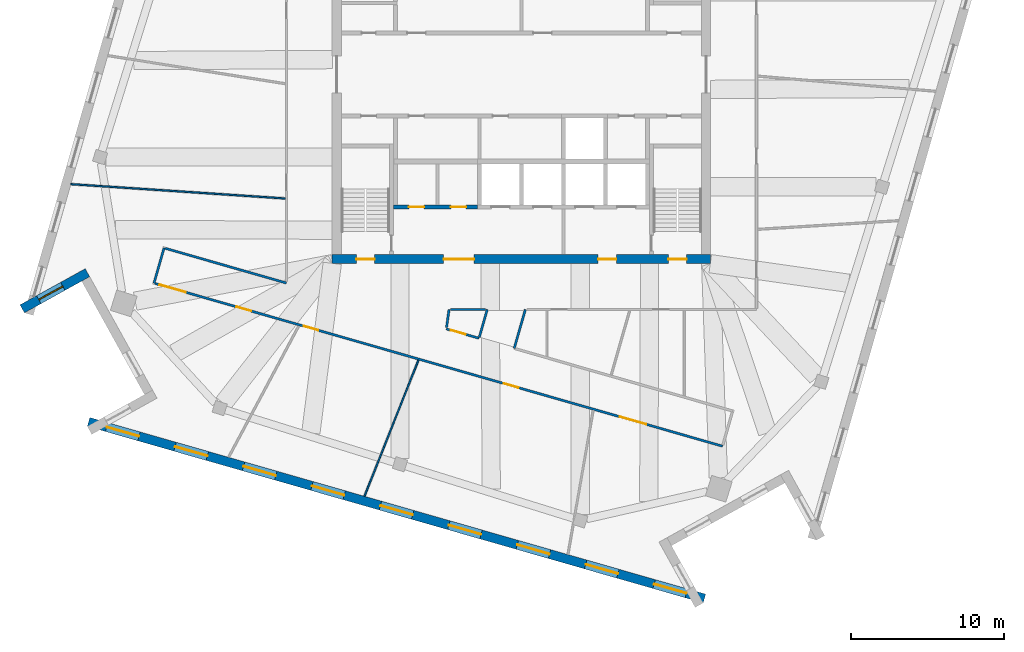
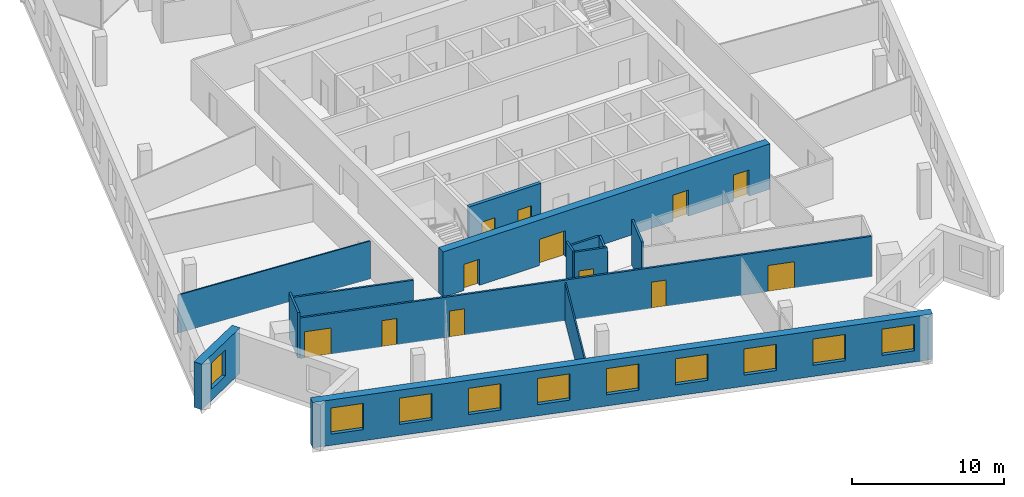
# One storey, part 7 of 15: 14 walls, 12 doors, 10 windows, 22 openings.
"""IFC4 building model written with IfcOpenShell, lengths in metres."""

import ifcopenshell
import ifcopenshell.guid

model = None  # the IFC model being written
_history = None  # IfcOwnerHistory: only IFC2X3 demands one
_inside = {}  # id of a spatial element -> (the spatial element, [elements in it])
_under = {}  # id of a project, library or spatial element -> (it, [spatial elements below it])
_declared = {}  # id of a project -> (the project, [libraries it declares])
_typed = {}  # id of a type object -> (the type object, [elements of that type])
_made_of = {}  # id of a material, layer set ... -> (it, [elements and type objects made of it])


def new_model(schema):
    """Start an empty IFC model of exactly this schema.

    Asked for "IFC4X3", IfcOpenShell would pick the latest addendum, in which some entities
    have other attributes; the version numbers below select the first issue.
    IFC2X3 requires an IfcOwnerHistory on every rooted entity: one is made here for all.
    """
    global model, _history
    if schema == "IFC4X3":
        model = ifcopenshell.file(schema_version=(4, 3, 0, 0))
    else:
        model = ifcopenshell.file(schema=schema)
    _inside.clear()
    _under.clear()
    _declared.clear()
    _typed.clear()
    _made_of.clear()
    _history = None
    if model.schema == "IFC2X3":
        org = make("IfcOrganization", Name="unknown")
        user = make(
            "IfcPersonAndOrganization",
            ThePerson=make("IfcPerson", FamilyName="unknown"),
            TheOrganization=org,
        )
        app = make(
            "IfcApplication",
            ApplicationDeveloper=org,
            Version="unknown",
            ApplicationFullName="unknown",
            ApplicationIdentifier="unknown",
        )
        _history = make(
            "IfcOwnerHistory",
            OwningUser=user,
            OwningApplication=app,
            ChangeAction="ADDED",
            CreationDate=0,
        )
    return model


def make(cls, **values):
    """One entity of the class cls with the attributes given. An attribute that is None is left unset."""
    return model.create_entity(
        cls, **{name: value for name, value in values.items() if value is not None}
    )


def rooted(cls, **values):
    """An entity with a GlobalId (a new one), such as an element, a storey or a relation."""
    return make(cls, GlobalId=ifcopenshell.guid.new(), OwnerHistory=_history, **values)


def si_unit(unit_type, name, prefix=None):
    """IfcSIUnit, for example si_unit("LENGTHUNIT", "METRE", prefix="MILLI")."""
    return make("IfcSIUnit", UnitType=unit_type, Prefix=prefix, Name=name)


def assignment(units):
    """IfcUnitAssignment: the units of a project."""
    return None if units is None else make("IfcUnitAssignment", Units=units)


def point(xyz):
    """IfcCartesianPoint."""
    return None if xyz is None else make("IfcCartesianPoint", Coordinates=xyz)


def direction(xyz):
    """IfcDirection."""
    return None if xyz is None else make("IfcDirection", DirectionRatios=xyz)


def frame(location, z_axis=None, x_axis=None):
    """IfcAxis2Placement3D, a coordinate frame: its origin and axes. An axis left out is left unset."""
    return make(
        "IfcAxis2Placement3D",
        Location=point(location),
        Axis=direction(z_axis),
        RefDirection=direction(x_axis),
    )


def frame_2d(location, x_axis=None):
    """IfcAxis2Placement2D, a coordinate frame in the plane: its origin and x axis."""
    return make(
        "IfcAxis2Placement2D", Location=point(location), RefDirection=direction(x_axis)
    )


def origin():
    """The frame at (0, 0, 0) with its axes left unset."""
    return frame((0.0, 0.0, 0.0))


def place(relative_to, where):
    """IfcLocalPlacement: puts the frame where relative to a parent placement (None: the world)."""
    return make(
        "IfcLocalPlacement", PlacementRelTo=relative_to, RelativePlacement=where
    )


def context(
    kind, dimensions, precision=None, world=None, true_north=None, identifier=None
):
    """IfcGeometricRepresentationContext, for example the 3D "Model" context."""
    return make(
        "IfcGeometricRepresentationContext",
        ContextIdentifier=identifier,
        ContextType=kind,
        CoordinateSpaceDimension=dimensions,
        Precision=precision,
        WorldCoordinateSystem=world,
        TrueNorth=true_north,
    )


def subcontext(parent, identifier, kind, view, scale=None):
    """IfcGeometricRepresentationSubContext, for example "Body" below "Model"."""
    return make(
        "IfcGeometricRepresentationSubContext",
        ContextIdentifier=identifier,
        ContextType=kind,
        ParentContext=parent,
        TargetScale=scale,
        TargetView=view,
    )


def project(units=None, contexts=None):
    """IfcProject with its units and contexts."""
    return rooted(
        "IfcProject",
        Name="project",
        RepresentationContexts=contexts,
        UnitsInContext=assignment(units),
    )


def spatial(cls, under=None, at=None, **own):
    """A site, building, storey or space (cls), placed at a placement, below another one or the project."""
    s = rooted(cls, ObjectPlacement=at, **own)
    if under is not None:
        _under.setdefault(under.id(), (under, []))[1].append(s)
    return s


def profile(cls, at=None, kind="AREA", **sizes):
    """A parametric profile (cls). Its sizes go by their IFC names, for example OverallWidth=200.0."""
    return make(cls, ProfileType=kind, Position=at, **sizes)


def rectangle(**sizes):
    """IfcRectangleProfileDef."""
    return profile("IfcRectangleProfileDef", **sizes)


def extrude(swept, where, along, depth):
    """IfcExtrudedAreaSolid: the profile swept, set in the frame where, extruded along a direction by depth."""
    return make(
        "IfcExtrudedAreaSolid",
        SweptArea=swept,
        Position=where,
        ExtrudedDirection=direction(along),
        Depth=depth,
    )


def shape(context_of_items, identifier, shape_type, items):
    """IfcShapeRepresentation: the items that make up one representation, for example the "Body"."""
    return make(
        "IfcShapeRepresentation",
        ContextOfItems=context_of_items,
        RepresentationIdentifier=identifier,
        RepresentationType=shape_type,
        Items=items,
    )


def material(Name=None, Category=None):
    """IfcMaterial."""
    return make("IfcMaterial", Name=Name, Category=Category)


def layer(
    of_material, thickness, ventilated=None, Name=None, Category=None, Priority=None
):
    """IfcMaterialLayer: one layer of a wall or slab, of a material (None: an air gap)."""
    return make(
        "IfcMaterialLayer",
        Material=of_material,
        LayerThickness=thickness,
        IsVentilated=ventilated,
        Name=Name,
        Category=Category,
        Priority=Priority,
    )


def layer_set(layers, Name=None):
    """IfcMaterialLayerSet."""
    return make("IfcMaterialLayerSet", MaterialLayers=layers, LayerSetName=Name)


def made_of(thing, what):
    """Note that an element or type object is made of a material, layer set ...; save() writes the relation."""
    if what is not None:
        _made_of.setdefault(what.id(), (what, []))[1].append(thing)
    return thing


def type_object(cls, material=None, **own):
    """A type object (cls), such as IfcWallType, which elements share."""
    return made_of(rooted(cls, **own), material)


def element(
    cls,
    number,
    at=None,
    inside=None,
    cuts=None,
    type_object=None,
    material=None,
    context=None,
    identifier="Body",
    shape_type=None,
    held_by="IfcProductDefinitionShape",
    body=None,
    shapes=None,
    **own,
):
    """One element of the class cls, such as IfcWall. Its Tag is "e" and its number.

    at: its placement. inside: the storey or other place that contains it. cuts: it is an
    opening in that element (IfcRelVoidsElement). A single representation is given by context,
    identifier, shape_type and body (its items); several are given by shapes. held_by: the class
    of the entity that holds the representations. save() writes the other relations.
    """
    e = rooted(cls, Tag="e%d" % number, ObjectPlacement=at, **own)
    if body is not None:
        shapes = [shape(context, identifier, shape_type, body)]
    if shapes is not None:
        e.Representation = make(held_by, Representations=shapes)
    if inside is not None:
        _inside.setdefault(inside.id(), (inside, []))[1].append(e)
    if cuts is not None:
        rooted(
            "IfcRelVoidsElement", RelatingBuildingElement=cuts, RelatedOpeningElement=e
        )
    if type_object is not None:
        _typed.setdefault(type_object.id(), (type_object, []))[1].append(e)
    return made_of(e, material)


def fill(opening, filler):
    """IfcRelFillsElement: the door or window that sits in an opening."""
    return rooted(
        "IfcRelFillsElement",
        RelatingOpeningElement=opening,
        RelatedBuildingElement=filler,
    )


def aggregate(whole, parts):
    """IfcRelAggregates: a whole, such as a stair, and the parts it consists of."""
    return rooted("IfcRelAggregates", RelatingObject=whole, RelatedObjects=parts)


def save(model, path):
    """Write the relations noted so far, then the file.

    IfcRelAggregates (storeys below a building ...), IfcRelContainedInSpatialStructure (elements
    in a storey), IfcRelDefinesByType, IfcRelAssociatesMaterial and IfcRelDeclares: one each for
    every whole, place, type object, material and project.
    """
    for whole, parts in _under.values():
        aggregate(whole, parts)
    for where, things in _inside.values():
        rooted(
            "IfcRelContainedInSpatialStructure",
            RelatedElements=things,
            RelatingStructure=where,
        )
    for kind, things in _typed.values():
        rooted("IfcRelDefinesByType", RelatedObjects=things, RelatingType=kind)
    for what, things in _made_of.values():
        rooted("IfcRelAssociatesMaterial", RelatedObjects=things, RelatingMaterial=what)
    for by, libraries in _declared.values():
        rooted("IfcRelDeclares", RelatingContext=by, RelatedDefinitions=libraries)
    model.write(path)


model = new_model("IFC4")

# Units and contexts
model_context = context("Model", 3, precision=1e-05, world=origin(), true_north=direction((0.0, 1.0)))
body_context = subcontext(model_context, "Body", "Model", "MODEL_VIEW")
ifc_project = project(units=[si_unit("LENGTHUNIT", "METRE"), si_unit("AREAUNIT", "SQUARE_METRE"), si_unit("VOLUMEUNIT", "CUBIC_METRE"), si_unit("PLANEANGLEUNIT", "RADIAN"), si_unit("MASSUNIT", "GRAM", prefix="KILO")], contexts=[model_context])

# Site, building, storey
site_placement = place(None, origin())
site = spatial("IfcSite", under=ifc_project, at=site_placement, CompositionType="ELEMENT")
building_placement = place(site_placement, origin())
building = spatial("IfcBuilding", under=site, at=building_placement, Name="Dilmun Exchange Tower", CompositionType="ELEMENT")
storey_placement = place(building_placement, frame((0.0, 0.0, 328.5)))
storey = spatial("IfcBuildingStorey", under=building, at=storey_placement, Name="L78", CompositionType="ELEMENT", Elevation=328.5)

# Wall, openings, doors
ifc_material_1 = material(Name="Concrete C40/50", Category="concrete")
ifc_layer_1 = layer(ifc_material_1, 0.25)
ifc_layer_set_1 = layer_set([ifc_layer_1], Name="Concrete C40/50")
wall_type_1 = type_object("IfcWallType", Name="Core partition wall 250", PredefinedType="PARTITIONING", material=ifc_layer_set_1)
wall_1_placement = place(storey_placement, frame((-8.3701171875, -8.675048828125, 0.0), z_axis=(0.0, 0.0, 1.0), x_axis=(1.0, 0.0, 0.0)))
wall_1 = element("IfcWall", 1, at=wall_1_placement, inside=storey, type_object=wall_type_1, Name="L78 core partition wall 02", PredefinedType="PARTITIONING", context=body_context, shape_type="SweptSolid", body=[
    extrude(rectangle(XDim=5.490234375, YDim=0.25, at=frame_2d((2.7451171875, 0.0))), origin(), (0.0, 0.0, 1.0), 3.64990234375),
])
opening_1_placement = place(wall_1_placement, frame((0.9951171875, 0.0, 0.0)))
opening_1 = element("IfcOpeningElement", 2, at=opening_1_placement, cuts=wall_1, Name="Opening CD4", PredefinedType="OPENING", context=body_context, shape_type="SweptSolid", body=[
    extrude(rectangle(XDim=1.0, YDim=2.10009765625, at=frame_2d((0.5, 1.050048828125))), frame((0.0, 0.135009765625, 0.0), z_axis=(0.0, -1.0, 0.0), x_axis=(1.0, 0.0, 0.0)), (0.0, 0.0, 1.0), 0.27001953125),
])
opening_2_placement = place(wall_1_placement, frame((3.7451171875, 0.0, 0.0)))
opening_2 = element("IfcOpeningElement", 3, at=opening_2_placement, cuts=wall_1, Name="Opening CD4", PredefinedType="OPENING", context=body_context, shape_type="SweptSolid", body=[
    extrude(rectangle(XDim=1.0, YDim=2.10009765625, at=frame_2d((0.5, 1.050048828125))), frame((0.0, 0.135009765625, 0.0), z_axis=(0.0, -1.0, 0.0), x_axis=(1.0, 0.0, 0.0)), (0.0, 0.0, 1.0), 0.27001953125),
])
ifc_material_2 = material(Name="Fire-rated steel door set", Category="steel")
door_type_1 = type_object("IfcDoorType", Name="Core room door 1000x2100", OperationType="SINGLE_SWING_LEFT", PredefinedType="DOOR", material=ifc_material_2)
door_1_placement = place(opening_1_placement, origin())
door_1 = element("IfcDoor", 4, at=door_1_placement, inside=storey, type_object=door_type_1, Name="L78 door Male WC", OperationType="SINGLE_SWING_LEFT", OverallHeight=2.10009765625, OverallWidth=1.0, PredefinedType="DOOR", context=body_context, shape_type="SweptSolid", body=[
    extrude(rectangle(XDim=1.0, YDim=2.10009765625, at=frame_2d((0.5, 1.050048828125))), frame((0.0, 0.02490234375, 0.0), z_axis=(0.0, -1.0, 0.0), x_axis=(1.0, 0.0, 0.0)), (0.0, 0.0, 1.0), 0.050048828125),
])
fill(opening_1, door_1)
door_2_placement = place(opening_2_placement, origin())
door_2 = element("IfcDoor", 5, at=door_2_placement, inside=storey, type_object=door_type_1, Name="L78 door Female WC", OperationType="SINGLE_SWING_LEFT", OverallHeight=2.10009765625, OverallWidth=1.0, PredefinedType="DOOR", context=body_context, shape_type="SweptSolid", body=[
    extrude(rectangle(XDim=1.0, YDim=2.10009765625, at=frame_2d((0.5, 1.050048828125))), frame((0.0, 0.02490234375, 0.0), z_axis=(0.0, -1.0, 0.0), x_axis=(1.0, 0.0, 0.0)), (0.0, 0.0, 1.0), 0.050048828125),
])
fill(opening_2, door_2)

ifc_material_3 = material(Name="Concrete C50/60", Category="concrete")
ifc_layer_2 = layer(ifc_material_3, 0.60009765625)
ifc_layer_set_2 = layer_set([ifc_layer_2], Name="Concrete C50/60")
wall_type_2 = type_object("IfcWallType", Name="Core shear wall 600 Concrete C50/60", PredefinedType="SHEAR", material=ifc_layer_set_2)
wall_2_placement = place(storey_placement, frame((-12.39990234375, -12.10009765625, 0.0), z_axis=(0.0, 0.0, 1.0), x_axis=(1.0, 0.0, 0.0)))
wall_2 = element("IfcWall", 6, at=wall_2_placement, inside=storey, type_object=wall_type_2, Name="L78 core shear wall S", PredefinedType="SHEAR", context=body_context, shape_type="SweptSolid", body=[
    extrude(rectangle(XDim=24.7998046875, YDim=0.60009765625, at=frame_2d((12.39990234375, 0.0))), origin(), (0.0, 0.0, 1.0), 3.64990234375),
])
opening_3_placement = place(wall_2_placement, frame((7.300048828125, 0.0, 0.0)))
opening_3 = element("IfcOpeningElement", 7, at=opening_3_placement, cuts=wall_2, Name="Opening CD2", PredefinedType="OPENING", context=body_context, shape_type="SweptSolid", body=[
    extrude(rectangle(XDim=2.0, YDim=2.10009765625, at=frame_2d((1.0, 1.050048828125))), frame((0.0, 0.31005859375, 0.0), z_axis=(0.0, -1.0, 0.0), x_axis=(1.0, 0.0, 0.0)), (0.0, 0.0, 1.0), 0.6201171875),
])
opening_4_placement = place(wall_2_placement, frame((17.425048828125, 0.0, 0.0)))
opening_4 = element("IfcOpeningElement", 8, at=opening_4_placement, cuts=wall_2, Name="Opening CD3", PredefinedType="OPENING", context=body_context, shape_type="SweptSolid", body=[
    extrude(rectangle(XDim=1.199951171875, YDim=2.10009765625, at=frame_2d((0.60009765625, 1.050048828125))), frame((0.0, 0.31005859375, 0.0), z_axis=(0.0, -1.0, 0.0), x_axis=(1.0, 0.0, 0.0)), (0.0, 0.0, 1.0), 0.6201171875),
])
opening_5_placement = place(wall_2_placement, frame((1.574951171875, 0.0, 0.0)))
opening_5 = element("IfcOpeningElement", 9, at=opening_5_placement, cuts=wall_2, Name="Opening CD3", PredefinedType="OPENING", context=body_context, shape_type="SweptSolid", body=[
    extrude(rectangle(XDim=1.199951171875, YDim=2.10009765625, at=frame_2d((0.60009765625, 1.050048828125))), frame((0.0, 0.31005859375, 0.0), z_axis=(0.0, -1.0, 0.0), x_axis=(1.0, 0.0, 0.0)), (0.0, 0.0, 1.0), 0.6201171875),
])
opening_6_placement = place(wall_2_placement, frame((22.02490234375, 0.0, 0.0)))
opening_6 = element("IfcOpeningElement", 10, at=opening_6_placement, cuts=wall_2, Name="Opening CD3", PredefinedType="OPENING", context=body_context, shape_type="SweptSolid", body=[
    extrude(rectangle(XDim=1.199951171875, YDim=2.10009765625, at=frame_2d((0.60009765625, 1.050048828125))), frame((0.0, 0.31005859375, 0.0), z_axis=(0.0, -1.0, 0.0), x_axis=(1.0, 0.0, 0.0)), (0.0, 0.0, 1.0), 0.6201171875),
])
door_type_2 = type_object("IfcDoorType", Name="Core service door 2000x2100", OperationType="DOUBLE_DOOR_DOUBLE_SWING", PredefinedType="DOOR", material=ifc_material_2)
door_3_placement = place(opening_3_placement, origin())
door_3 = element("IfcDoor", 11, at=door_3_placement, inside=storey, type_object=door_type_2, Name="L78 door South service lobby", OperationType="SINGLE_SWING_LEFT", OverallHeight=2.10009765625, OverallWidth=2.0, PredefinedType="DOOR", context=body_context, shape_type="SweptSolid", body=[
    extrude(rectangle(XDim=2.0, YDim=2.10009765625, at=frame_2d((1.0, 1.050048828125))), frame((0.0, 0.02490234375, 0.0), z_axis=(0.0, -1.0, 0.0), x_axis=(1.0, 0.0, 0.0)), (0.0, 0.0, 1.0), 0.050048828125),
])
fill(opening_3, door_3)
door_type_3 = type_object("IfcDoorType", Name="Stair exit door 1200x2100", OperationType="SINGLE_SWING_LEFT", PredefinedType="DOOR", material=ifc_material_2)
door_4_placement = place(opening_4_placement, origin())
door_4 = element("IfcDoor", 12, at=door_4_placement, inside=storey, type_object=door_type_3, Name="L78 door Fire-fighting lobby", OperationType="SINGLE_SWING_LEFT", OverallHeight=2.10009765625, OverallWidth=1.199951171875, PredefinedType="DOOR", context=body_context, shape_type="SweptSolid", body=[
    extrude(rectangle(XDim=1.199951171875, YDim=2.10009765625, at=frame_2d((0.60009765625, 1.050048828125))), frame((0.0, 0.02490234375, 0.0), z_axis=(0.0, -1.0, 0.0), x_axis=(1.0, 0.0, 0.0)), (0.0, 0.0, 1.0), 0.050048828125),
])
fill(opening_4, door_4)
door_5_placement = place(opening_5_placement, origin())
door_5 = element("IfcDoor", 13, at=door_5_placement, inside=storey, type_object=door_type_3, Name="L78 door Stair ST2", OperationType="SINGLE_SWING_LEFT", OverallHeight=2.10009765625, OverallWidth=1.199951171875, PredefinedType="DOOR", context=body_context, shape_type="SweptSolid", body=[
    extrude(rectangle(XDim=1.199951171875, YDim=2.10009765625, at=frame_2d((0.60009765625, 1.050048828125))), frame((0.0, 0.02490234375, 0.0), z_axis=(0.0, -1.0, 0.0), x_axis=(1.0, 0.0, 0.0)), (0.0, 0.0, 1.0), 0.050048828125),
])
fill(opening_5, door_5)
door_6_placement = place(opening_6_placement, origin())
door_6 = element("IfcDoor", 14, at=door_6_placement, inside=storey, type_object=door_type_3, Name="L78 door Stair ST3", OperationType="SINGLE_SWING_LEFT", OverallHeight=2.10009765625, OverallWidth=1.199951171875, PredefinedType="DOOR", context=body_context, shape_type="SweptSolid", body=[
    extrude(rectangle(XDim=1.199951171875, YDim=2.10009765625, at=frame_2d((0.60009765625, 1.050048828125))), frame((0.0, 0.02490234375, 0.0), z_axis=(0.0, -1.0, 0.0), x_axis=(1.0, 0.0, 0.0)), (0.0, 0.0, 1.0), 0.050048828125),
])
fill(opening_6, door_6)

# Wall
ifc_material_4 = material(Name="Corridor wall 150")
ifc_layer_3 = layer(ifc_material_4, 0.14990234375)
ifc_layer_set_3 = layer_set([ifc_layer_3], Name="Corridor wall 150")
wall_type_3 = type_object("IfcWallType", Name="Corridor wall 150", PredefinedType="PARTITIONING", material=ifc_layer_set_3)
wall_3_placement = place(storey_placement, frame((-24.0791015625, -13.673095703125, 0.0), z_axis=(0.0, 0.0, 1.0), x_axis=(0.275849392554, 0.961200870072, 0.0)))
element("IfcWall", 15, at=wall_3_placement, inside=storey, type_object=wall_type_3, Name="Corridor wall", PredefinedType="PARTITIONING", context=body_context, shape_type="SweptSolid", body=[
    extrude(rectangle(XDim=2.400146484375, YDim=0.14990234375, at=frame_2d((1.2001953125, 0.0))), origin(), (0.0, 0.0, 1.0), 3.64990234375),
])

# Wall, openings, doors
wall_4_placement = place(storey_placement, frame((-24.0068359375, -13.693603515625, 0.0), z_axis=(0.0, 0.0, 1.0), x_axis=(0.961264140923, -0.275628828998, 0.0)))
wall_4 = element("IfcWall", 16, at=wall_4_placement, inside=storey, type_object=wall_type_3, Name="Corridor wall", PredefinedType="PARTITIONING", context=body_context, shape_type="SweptSolid", body=[
    extrude(rectangle(XDim=38.68017578125, YDim=0.14990234375, at=frame_2d((19.340087890625, 0.0))), origin(), (0.0, 0.0, 1.0), 3.25),
])
opening_7_placement = place(wall_4_placement, frame((0.300048828125, 0.0, 0.0)))
opening_7 = element("IfcOpeningElement", 17, at=opening_7_placement, cuts=wall_4, Name="Opening TF77-D01", PredefinedType="OPENING", context=body_context, shape_type="SweptSolid", body=[
    extrude(rectangle(XDim=1.800048828125, YDim=2.10009765625, at=frame_2d((0.89990234375, 1.050048828125))), frame((0.0, 0.0849609375, 0.0), z_axis=(0.0, -1.0, 0.0), x_axis=(1.0, 0.0, 0.0)), (0.0, 0.0, 1.0), 0.169921875),
])
opening_8_placement = place(wall_4_placement, frame((5.550048828125, 0.0, 0.0)))
opening_8 = element("IfcOpeningElement", 18, at=opening_8_placement, cuts=wall_4, Name="Opening TF77-D02", PredefinedType="OPENING", context=body_context, shape_type="SweptSolid", body=[
    extrude(rectangle(XDim=1.0, YDim=2.10009765625, at=frame_2d((0.5, 1.050048828125))), frame((0.0, 0.0849609375, 0.0), z_axis=(0.0, -1.0, 0.0), x_axis=(1.0, 0.0, 0.0)), (0.0, 0.0, 1.0), 0.169921875),
])
opening_9_placement = place(wall_4_placement, frame((10.12451171875, 0.0, 0.0)))
opening_9 = element("IfcOpeningElement", 19, at=opening_9_placement, cuts=wall_4, Name="Opening TF77-D07", PredefinedType="OPENING", context=body_context, shape_type="SweptSolid", body=[
    extrude(rectangle(XDim=1.0, YDim=2.10009765625, at=frame_2d((0.5, 1.050048828125))), frame((0.0, 0.0849609375, 0.0), z_axis=(0.0, -1.0, 0.0), x_axis=(1.0, 0.0, 0.0)), (0.0, 0.0, 1.0), 0.169921875),
])
opening_10_placement = place(wall_4_placement, frame((23.77587890625, 0.0, 0.0)))
opening_10 = element("IfcOpeningElement", 20, at=opening_10_placement, cuts=wall_4, Name="Opening TF77-D09", PredefinedType="OPENING", context=body_context, shape_type="SweptSolid", body=[
    extrude(rectangle(XDim=1.0, YDim=2.10009765625, at=frame_2d((0.5, 1.050048828125))), frame((0.0, 0.0849609375, 0.0), z_axis=(0.0, -1.0, 0.0), x_axis=(1.0, 0.0, 0.0)), (0.0, 0.0, 1.0), 0.169921875),
])
opening_11_placement = place(wall_4_placement, frame((31.674560546875, 0.0, 0.0)))
opening_11 = element("IfcOpeningElement", 21, at=opening_11_placement, cuts=wall_4, Name="Opening TF77-D16", PredefinedType="OPENING", context=body_context, shape_type="SweptSolid", body=[
    extrude(rectangle(XDim=1.800048828125, YDim=2.10009765625, at=frame_2d((0.89990234375, 1.050048828125))), frame((0.0, 0.0849609375, 0.0), z_axis=(0.0, -1.0, 0.0), x_axis=(1.0, 0.0, 0.0)), (0.0, 0.0, 1.0), 0.169921875),
])
ifc_material_5 = material(Name="Fire door 1000 x 2100")
door_type_4 = type_object("IfcDoorType", Name="Fire door 1000 x 2100", OperationType="NOTDEFINED", PredefinedType="DOOR", material=ifc_material_5)
door_7_placement = place(opening_8_placement, frame((1.0, 0.0, 0.0), z_axis=(0.0, 0.0, 1.0), x_axis=(-1.0, 0.0, 0.0)))
door_7 = element("IfcDoor", 22, at=door_7_placement, inside=storey, type_object=door_type_4, Name="Door TF77-D02", OperationType="SINGLE_SWING_RIGHT", OverallHeight=2.10009765625, OverallWidth=1.0, PredefinedType="DOOR", context=body_context, shape_type="SweptSolid", body=[
    extrude(rectangle(XDim=1.0, YDim=2.10009765625, at=frame_2d((0.5, 1.050048828125))), frame((0.0, 0.02490234375, 0.0), z_axis=(0.0, -1.0, 0.0), x_axis=(1.0, 0.0, 0.0)), (0.0, 0.0, 1.0), 0.050048828125),
])
fill(opening_8, door_7)
door_8_placement = place(opening_9_placement, frame((1.0, 0.0, 0.0), z_axis=(0.0, 0.0, 1.0), x_axis=(-1.0, 0.0, 0.0)))
door_8 = element("IfcDoor", 23, at=door_8_placement, inside=storey, type_object=door_type_4, Name="Door TF77-D07", OperationType="SINGLE_SWING_LEFT", OverallHeight=2.10009765625, OverallWidth=1.0, PredefinedType="DOOR", context=body_context, shape_type="SweptSolid", body=[
    extrude(rectangle(XDim=1.0, YDim=2.10009765625, at=frame_2d((0.5, 1.050048828125))), frame((0.0, 0.02490234375, 0.0), z_axis=(0.0, -1.0, 0.0), x_axis=(1.0, 0.0, 0.0)), (0.0, 0.0, 1.0), 0.050048828125),
])
fill(opening_9, door_8)
door_9_placement = place(opening_10_placement, frame((1.0, 0.0, 0.0), z_axis=(0.0, 0.0, 1.0), x_axis=(-1.0, 0.0, 0.0)))
door_9 = element("IfcDoor", 24, at=door_9_placement, inside=storey, type_object=door_type_4, Name="Door TF77-D09", OperationType="SINGLE_SWING_RIGHT", OverallHeight=2.10009765625, OverallWidth=1.0, PredefinedType="DOOR", context=body_context, shape_type="SweptSolid", body=[
    extrude(rectangle(XDim=1.0, YDim=2.10009765625, at=frame_2d((0.5, 1.050048828125))), frame((0.0, 0.02490234375, 0.0), z_axis=(0.0, -1.0, 0.0), x_axis=(1.0, 0.0, 0.0)), (0.0, 0.0, 1.0), 0.050048828125),
])
fill(opening_10, door_9)
ifc_material_6 = material(Name="Fire door pair 1800 x 2100")
door_type_5 = type_object("IfcDoorType", Name="Fire door pair 1800 x 2100", OperationType="NOTDEFINED", PredefinedType="DOOR", material=ifc_material_6)
door_10_placement = place(opening_7_placement, frame((1.800048828125, 0.0, 0.0), z_axis=(0.0, 0.0, 1.0), x_axis=(-1.0, 0.0, 0.0)))
door_10 = element("IfcDoor", 25, at=door_10_placement, inside=storey, type_object=door_type_5, Name="Door TF77-D01", OperationType="DOUBLE_DOOR_SINGLE_SWING", OverallHeight=2.10009765625, OverallWidth=1.800048828125, PredefinedType="DOOR", context=body_context, shape_type="SweptSolid", body=[
    extrude(rectangle(XDim=1.800048828125, YDim=2.10009765625, at=frame_2d((0.89990234375, 1.050048828125))), frame((0.0, 0.02490234375, 0.0), z_axis=(0.0, -1.0, 0.0), x_axis=(1.0, 0.0, 0.0)), (0.0, 0.0, 1.0), 0.050048828125),
])
fill(opening_7, door_10)
door_11_placement = place(opening_11_placement, frame((1.800048828125, 0.0, 0.0), z_axis=(0.0, 0.0, 1.0), x_axis=(-1.0, 0.0, 0.0)))
door_11 = element("IfcDoor", 26, at=door_11_placement, inside=storey, type_object=door_type_5, Name="Door TF77-D16", OperationType="DOUBLE_DOOR_SINGLE_SWING", OverallHeight=2.10009765625, OverallWidth=1.800048828125, PredefinedType="DOOR", context=body_context, shape_type="SweptSolid", body=[
    extrude(rectangle(XDim=1.800048828125, YDim=2.10009765625, at=frame_2d((0.89990234375, 1.050048828125))), frame((0.0, 0.02490234375, 0.0), z_axis=(0.0, -1.0, 0.0), x_axis=(1.0, 0.0, 0.0)), (0.0, 0.0, 1.0), 0.050048828125),
])
fill(opening_11, door_11)

# Wall
wall_5_placement = place(storey_placement, frame((-23.344970703125, -11.38671875, 0.0), z_axis=(0.0, 0.0, 1.0), x_axis=(0.961258213807, -0.275649499163, 0.0)))
element("IfcWall", 27, at=wall_5_placement, inside=storey, type_object=wall_type_3, Name="Corridor wall", PredefinedType="PARTITIONING", context=body_context, shape_type="SweptSolid", body=[
    extrude(rectangle(XDim=8.265380859375, YDim=0.14990234375, at=frame_2d((4.1328125, 0.0))), origin(), (0.0, 0.0, 1.0), 3.25),
])

# Wall, opening, door
wall_6_placement = place(storey_placement, frame((-4.923095703125, -16.6689453125, 0.0), z_axis=(0.0, 0.0, 1.0), x_axis=(0.961254639508, -0.275661963325, 0.0)))
wall_6 = element("IfcWall", 28, at=wall_6_placement, inside=storey, type_object=wall_type_3, Name="Corridor wall", PredefinedType="PARTITIONING", context=body_context, shape_type="SweptSolid", body=[
    extrude(rectangle(XDim=2.227294921875, YDim=0.14990234375, at=frame_2d((1.11376953125, 0.0))), origin(), (0.0, 0.0, 1.0), 3.64990234375),
])
opening_12_placement = place(wall_6_placement, frame((0.300048828125, 0.0, 0.0)))
opening_12 = element("IfcOpeningElement", 29, at=opening_12_placement, cuts=wall_6, Name="Opening TF77-D10", PredefinedType="OPENING", context=body_context, shape_type="SweptSolid", body=[
    extrude(rectangle(XDim=1.0, YDim=2.10009765625, at=frame_2d((0.5, 1.050048828125))), frame((0.0, 0.0849609375, 0.0), z_axis=(0.0, -1.0, 0.0), x_axis=(1.0, 0.0, 0.0)), (0.0, 0.0, 1.0), 0.169921875),
])
door_12_placement = place(opening_12_placement, origin())
door_12 = element("IfcDoor", 30, at=door_12_placement, inside=storey, type_object=door_type_4, Name="Door TF77-D10", OperationType="SINGLE_SWING_RIGHT", OverallHeight=2.10009765625, OverallWidth=1.0, PredefinedType="DOOR", context=body_context, shape_type="SweptSolid", body=[
    extrude(rectangle(XDim=1.0, YDim=2.10009765625, at=frame_2d((0.5, 1.050048828125))), frame((0.0, 0.02490234375, 0.0), z_axis=(0.0, -1.0, 0.0), x_axis=(1.0, 0.0, 0.0)), (0.0, 0.0, 1.0), 0.050048828125),
])
fill(opening_12, door_12)

# Walls
wall_7_placement = place(storey_placement, frame((-4.910888671875, -16.58349609375, 0.0), z_axis=(0.0, 0.0, 1.0), x_axis=(0.139705462727, 0.99019310424, 0.0)))
element("IfcWall", 31, at=wall_7_placement, inside=storey, type_object=wall_type_3, Name="Corridor wall", PredefinedType="PARTITIONING", context=body_context, shape_type="SweptSolid", body=[
    extrude(rectangle(XDim=1.1953125, YDim=0.14990234375, at=frame_2d((0.59765625, 0.0))), origin(), (0.0, 0.0, 1.0), 3.64990234375),
])
wall_8_placement = place(storey_placement, frame((-4.65771484375, -15.39990234375, 0.0), z_axis=(0.0, 0.0, 1.0), x_axis=(1.0, 0.0, 0.0)))
element("IfcWall", 32, at=wall_8_placement, inside=storey, type_object=wall_type_3, Name="Corridor wall", PredefinedType="PARTITIONING", context=body_context, shape_type="SweptSolid", body=[
    extrude(rectangle(XDim=2.316162109375, YDim=0.14990234375, at=frame_2d((1.158203125, 0.0))), origin(), (0.0, 0.0, 1.0), 3.25),
])
wall_9_placement = place(storey_placement, frame((-2.76123046875, -17.2109375, 0.0), z_axis=(0.0, 0.0, 1.0), x_axis=(0.275628103307, 0.961264349005, 0.0)))
element("IfcWall", 33, at=wall_9_placement, inside=storey, type_object=wall_type_3, Name="Corridor wall", PredefinedType="PARTITIONING", context=body_context, shape_type="SweptSolid", body=[
    extrude(rectangle(XDim=1.884033203125, YDim=0.14990234375, at=frame_2d((0.94189453125, 0.0))), origin(), (0.0, 0.0, 1.0), 3.25),
])
wall_10_placement = place(storey_placement, frame((-0.47509765625, -17.944091796875, 0.0), z_axis=(0.0, 0.0, 1.0), x_axis=(0.275793011759, 0.961217048676, 0.0)))
element("IfcWall", 34, at=wall_10_placement, inside=storey, type_object=wall_type_3, Name="Corridor wall", PredefinedType="PARTITIONING", context=body_context, shape_type="SweptSolid", body=[
    extrude(rectangle(XDim=2.646728515625, YDim=0.14990234375, at=frame_2d((1.3232421875, 0.0))), origin(), (0.0, 0.0, 1.0), 3.64990234375),
])
ifc_material_7 = material(Name="Partition 100")
ifc_layer_4 = layer(ifc_material_7, 0.10009765625)
ifc_layer_set_4 = layer_set([ifc_layer_4], Name="Partition 100")
wall_type_4 = type_object("IfcWallType", Name="Partition 100", PredefinedType="PARTITIONING", material=ifc_layer_set_4)
wall_11_placement = place(storey_placement, frame((-29.521728515625, -7.18408203125, 0.0), z_axis=(0.0, 0.0, 1.0), x_axis=(0.997764155263, -0.06683330361, 0.0)))
element("IfcWall", 35, at=wall_11_placement, inside=storey, type_object=wall_type_4, Name="Partition", PredefinedType="PARTITIONING", context=body_context, shape_type="SweptSolid", body=[
    extrude(rectangle(XDim=14.074951171875, YDim=0.10009765625, at=frame_2d((7.03759765625, 0.0))), origin(), (0.0, 0.0, 1.0), 3.050048828125),
])
wall_12_placement = place(storey_placement, frame((-10.288818359375, -27.632568359375, 0.0), z_axis=(0.0, 0.0, 1.0), x_axis=(0.368868227501, 0.929481700057, 0.0)))
element("IfcWall", 36, at=wall_12_placement, inside=storey, type_object=wall_type_4, Name="Partition", PredefinedType="PARTITIONING", context=body_context, shape_type="SweptSolid", body=[
    extrude(rectangle(XDim=9.583740234375, YDim=0.10009765625, at=frame_2d((4.7919921875, 0.0))), origin(), (0.0, 0.0, 1.0), 3.050048828125),
])

# Wall, opening, window
ifc_material_8 = material(Name="Precast concrete C50/60", Category="concrete")
ifc_layer_5 = layer(ifc_material_8, 0.60009765625)
ifc_layer_set_5 = layer_set([ifc_layer_5], Name="Precast concrete C50/60")
wall_type_5 = type_object("IfcWallType", Name="Precast stone-clad wall 600", PredefinedType="STANDARD", material=ifc_layer_set_5)
wall_13_placement = place(storey_placement, frame((-32.7119140625, -15.355712890625, 0.0), z_axis=(0.0, 0.0, 1.0), x_axis=(0.874609472896, 0.48482808285, 0.0)))
wall_13 = element("IfcWall", 37, at=wall_13_placement, inside=storey, type_object=wall_type_5, Name="Facade wall L78-04", PredefinedType="STANDARD", context=body_context, shape_type="SweptSolid", body=[
    extrude(rectangle(XDim=4.885498046875, YDim=0.60009765625, at=frame_2d((2.44287109375, 0.0))), origin(), (0.0, 0.0, 1.0), 3.64990234375),
])
opening_13_placement = place(wall_13_placement, frame((1.242919921875, 0.0, 0.89990234375)))
opening_13 = element("IfcOpeningElement", 38, at=opening_13_placement, cuts=wall_13, Name="Opening W180-210", PredefinedType="OPENING", context=body_context, shape_type="SweptSolid", body=[
    extrude(rectangle(XDim=1.800048828125, YDim=2.10009765625, at=frame_2d((0.89990234375, 1.050048828125))), frame((0.0, 0.31005859375, 0.0), z_axis=(0.0, -1.0, 0.0), x_axis=(1.0, 0.0, 0.0)), (0.0, 0.0, 1.0), 0.6201171875),
])
ifc_material_9 = material(Name="Clear low-emissivity glass in aluminium frame", Category="aluminium")
window_type_1 = type_object("IfcWindowType", Name="Punched window 1800 x 2100", PartitioningType="DOUBLE_PANEL_VERTICAL", PredefinedType="WINDOW", material=ifc_material_9)
window_1_placement = place(opening_13_placement, origin())
window_1 = element("IfcWindow", 39, at=window_1_placement, inside=storey, type_object=window_type_1, Name="Window 5.1", OverallHeight=2.10009765625, OverallWidth=1.800048828125, PartitioningType="SINGLE_PANEL", PredefinedType="WINDOW", context=body_context, shape_type="SweptSolid", body=[
    extrude(rectangle(XDim=1.800048828125, YDim=2.10009765625, at=frame_2d((0.89990234375, 1.050048828125))), frame((0.0, 0.030029296875, 0.0), z_axis=(0.0, -1.0, 0.0), x_axis=(1.0, 0.0, 0.0)), (0.0, 0.0, 1.0), 0.06005859375),
])
fill(opening_13, window_1)

# Wall, openings, windows
wall_14_placement = place(storey_placement, frame((-28.36279296875, -22.763916015625, 0.0), z_axis=(0.0, 0.0, 1.0), x_axis=(0.961261250735, -0.275638908422, 0.0)))
wall_14 = element("IfcWall", 40, at=wall_14_placement, inside=storey, type_object=wall_type_5, Name="Facade wall L78-07", PredefinedType="STANDARD", context=body_context, shape_type="SweptSolid", body=[
    extrude(rectangle(XDim=41.97900390625, YDim=0.60009765625, at=frame_2d((20.989501953125, 0.0))), origin(), (0.0, 0.0, 1.0), 3.64990234375),
])
opening_14_placement = place(wall_14_placement, frame((1.232177734375, 0.0, 0.89990234375)))
opening_14 = element("IfcOpeningElement", 41, at=opening_14_placement, cuts=wall_14, Name="Opening W220-210", PredefinedType="OPENING", context=body_context, shape_type="SweptSolid", body=[
    extrude(rectangle(XDim=2.199951171875, YDim=2.10009765625, at=frame_2d((1.10009765625, 1.050048828125))), frame((0.0, 0.31005859375, 0.0), z_axis=(0.0, -1.0, 0.0), x_axis=(1.0, 0.0, 0.0)), (0.0, 0.0, 1.0), 0.6201171875),
])
opening_15_placement = place(wall_14_placement, frame((5.896484375, 0.0, 0.89990234375)))
opening_15 = element("IfcOpeningElement", 42, at=opening_15_placement, cuts=wall_14, Name="Opening W220-210", PredefinedType="OPENING", context=body_context, shape_type="SweptSolid", body=[
    extrude(rectangle(XDim=2.199951171875, YDim=2.10009765625, at=frame_2d((1.10009765625, 1.050048828125))), frame((0.0, 0.31005859375, 0.0), z_axis=(0.0, -1.0, 0.0), x_axis=(1.0, 0.0, 0.0)), (0.0, 0.0, 1.0), 0.6201171875),
])
opening_16_placement = place(wall_14_placement, frame((10.560791015625, 0.0, 0.89990234375)))
opening_16 = element("IfcOpeningElement", 43, at=opening_16_placement, cuts=wall_14, Name="Opening W220-210", PredefinedType="OPENING", context=body_context, shape_type="SweptSolid", body=[
    extrude(rectangle(XDim=2.199951171875, YDim=2.10009765625, at=frame_2d((1.10009765625, 1.050048828125))), frame((0.0, 0.31005859375, 0.0), z_axis=(0.0, -1.0, 0.0), x_axis=(1.0, 0.0, 0.0)), (0.0, 0.0, 1.0), 0.6201171875),
])
opening_17_placement = place(wall_14_placement, frame((15.22509765625, 0.0, 0.89990234375)))
opening_17 = element("IfcOpeningElement", 44, at=opening_17_placement, cuts=wall_14, Name="Opening W220-210", PredefinedType="OPENING", context=body_context, shape_type="SweptSolid", body=[
    extrude(rectangle(XDim=2.199951171875, YDim=2.10009765625, at=frame_2d((1.10009765625, 1.050048828125))), frame((0.0, 0.31005859375, 0.0), z_axis=(0.0, -1.0, 0.0), x_axis=(1.0, 0.0, 0.0)), (0.0, 0.0, 1.0), 0.6201171875),
])
opening_18_placement = place(wall_14_placement, frame((19.8896484375, 0.0, 0.89990234375)))
opening_18 = element("IfcOpeningElement", 45, at=opening_18_placement, cuts=wall_14, Name="Opening W220-210", PredefinedType="OPENING", context=body_context, shape_type="SweptSolid", body=[
    extrude(rectangle(XDim=2.199951171875, YDim=2.10009765625, at=frame_2d((1.10009765625, 1.050048828125))), frame((0.0, 0.31005859375, 0.0), z_axis=(0.0, -1.0, 0.0), x_axis=(1.0, 0.0, 0.0)), (0.0, 0.0, 1.0), 0.6201171875),
])
opening_19_placement = place(wall_14_placement, frame((24.553955078125, 0.0, 0.89990234375)))
opening_19 = element("IfcOpeningElement", 46, at=opening_19_placement, cuts=wall_14, Name="Opening W220-210", PredefinedType="OPENING", context=body_context, shape_type="SweptSolid", body=[
    extrude(rectangle(XDim=2.199951171875, YDim=2.10009765625, at=frame_2d((1.10009765625, 1.050048828125))), frame((0.0, 0.31005859375, 0.0), z_axis=(0.0, -1.0, 0.0), x_axis=(1.0, 0.0, 0.0)), (0.0, 0.0, 1.0), 0.6201171875),
])
opening_20_placement = place(wall_14_placement, frame((29.21826171875, 0.0, 0.89990234375)))
opening_20 = element("IfcOpeningElement", 47, at=opening_20_placement, cuts=wall_14, Name="Opening W220-210", PredefinedType="OPENING", context=body_context, shape_type="SweptSolid", body=[
    extrude(rectangle(XDim=2.199951171875, YDim=2.10009765625, at=frame_2d((1.10009765625, 1.050048828125))), frame((0.0, 0.31005859375, 0.0), z_axis=(0.0, -1.0, 0.0), x_axis=(1.0, 0.0, 0.0)), (0.0, 0.0, 1.0), 0.6201171875),
])
opening_21_placement = place(wall_14_placement, frame((33.8828125, 0.0, 0.89990234375)))
opening_21 = element("IfcOpeningElement", 48, at=opening_21_placement, cuts=wall_14, Name="Opening W220-210", PredefinedType="OPENING", context=body_context, shape_type="SweptSolid", body=[
    extrude(rectangle(XDim=2.199951171875, YDim=2.10009765625, at=frame_2d((1.10009765625, 1.050048828125))), frame((0.0, 0.31005859375, 0.0), z_axis=(0.0, -1.0, 0.0), x_axis=(1.0, 0.0, 0.0)), (0.0, 0.0, 1.0), 0.6201171875),
])
opening_22_placement = place(wall_14_placement, frame((38.547119140625, 0.0, 0.89990234375)))
opening_22 = element("IfcOpeningElement", 49, at=opening_22_placement, cuts=wall_14, Name="Opening W220-210", PredefinedType="OPENING", context=body_context, shape_type="SweptSolid", body=[
    extrude(rectangle(XDim=2.199951171875, YDim=2.10009765625, at=frame_2d((1.10009765625, 1.050048828125))), frame((0.0, 0.31005859375, 0.0), z_axis=(0.0, -1.0, 0.0), x_axis=(1.0, 0.0, 0.0)), (0.0, 0.0, 1.0), 0.6201171875),
])
window_type_2 = type_object("IfcWindowType", Name="Punched window 2200 x 2100", PartitioningType="DOUBLE_PANEL_VERTICAL", PredefinedType="WINDOW", material=ifc_material_9)
window_2_placement = place(opening_14_placement, origin())
window_2 = element("IfcWindow", 50, at=window_2_placement, inside=storey, type_object=window_type_2, Name="Window 8.1", OverallHeight=2.10009765625, OverallWidth=2.199951171875, PartitioningType="SINGLE_PANEL", PredefinedType="WINDOW", context=body_context, shape_type="SweptSolid", body=[
    extrude(rectangle(XDim=2.199951171875, YDim=2.10009765625, at=frame_2d((1.10009765625, 1.050048828125))), frame((0.0, 0.030029296875, 0.0), z_axis=(0.0, -1.0, 0.0), x_axis=(1.0, 0.0, 0.0)), (0.0, 0.0, 1.0), 0.06005859375),
])
fill(opening_14, window_2)
window_3_placement = place(opening_15_placement, origin())
window_3 = element("IfcWindow", 51, at=window_3_placement, inside=storey, type_object=window_type_2, Name="Window 8.2", OverallHeight=2.10009765625, OverallWidth=2.199951171875, PartitioningType="SINGLE_PANEL", PredefinedType="WINDOW", context=body_context, shape_type="SweptSolid", body=[
    extrude(rectangle(XDim=2.199951171875, YDim=2.10009765625, at=frame_2d((1.10009765625, 1.050048828125))), frame((0.0, 0.030029296875, 0.0), z_axis=(0.0, -1.0, 0.0), x_axis=(1.0, 0.0, 0.0)), (0.0, 0.0, 1.0), 0.06005859375),
])
fill(opening_15, window_3)
window_4_placement = place(opening_16_placement, origin())
window_4 = element("IfcWindow", 52, at=window_4_placement, inside=storey, type_object=window_type_2, Name="Window 8.3", OverallHeight=2.10009765625, OverallWidth=2.199951171875, PartitioningType="SINGLE_PANEL", PredefinedType="WINDOW", context=body_context, shape_type="SweptSolid", body=[
    extrude(rectangle(XDim=2.199951171875, YDim=2.10009765625, at=frame_2d((1.10009765625, 1.050048828125))), frame((0.0, 0.030029296875, 0.0), z_axis=(0.0, -1.0, 0.0), x_axis=(1.0, 0.0, 0.0)), (0.0, 0.0, 1.0), 0.06005859375),
])
fill(opening_16, window_4)
window_5_placement = place(opening_17_placement, origin())
window_5 = element("IfcWindow", 53, at=window_5_placement, inside=storey, type_object=window_type_2, Name="Window 8.4", OverallHeight=2.10009765625, OverallWidth=2.199951171875, PartitioningType="SINGLE_PANEL", PredefinedType="WINDOW", context=body_context, shape_type="SweptSolid", body=[
    extrude(rectangle(XDim=2.199951171875, YDim=2.10009765625, at=frame_2d((1.10009765625, 1.050048828125))), frame((0.0, 0.030029296875, 0.0), z_axis=(0.0, -1.0, 0.0), x_axis=(1.0, 0.0, 0.0)), (0.0, 0.0, 1.0), 0.06005859375),
])
fill(opening_17, window_5)
window_6_placement = place(opening_18_placement, origin())
window_6 = element("IfcWindow", 54, at=window_6_placement, inside=storey, type_object=window_type_2, Name="Window 8.5", OverallHeight=2.10009765625, OverallWidth=2.199951171875, PartitioningType="SINGLE_PANEL", PredefinedType="WINDOW", context=body_context, shape_type="SweptSolid", body=[
    extrude(rectangle(XDim=2.199951171875, YDim=2.10009765625, at=frame_2d((1.10009765625, 1.050048828125))), frame((0.0, 0.030029296875, 0.0), z_axis=(0.0, -1.0, 0.0), x_axis=(1.0, 0.0, 0.0)), (0.0, 0.0, 1.0), 0.06005859375),
])
fill(opening_18, window_6)
window_7_placement = place(opening_19_placement, origin())
window_7 = element("IfcWindow", 55, at=window_7_placement, inside=storey, type_object=window_type_2, Name="Window 8.6", OverallHeight=2.10009765625, OverallWidth=2.199951171875, PartitioningType="SINGLE_PANEL", PredefinedType="WINDOW", context=body_context, shape_type="SweptSolid", body=[
    extrude(rectangle(XDim=2.199951171875, YDim=2.10009765625, at=frame_2d((1.10009765625, 1.050048828125))), frame((0.0, 0.030029296875, 0.0), z_axis=(0.0, -1.0, 0.0), x_axis=(1.0, 0.0, 0.0)), (0.0, 0.0, 1.0), 0.06005859375),
])
fill(opening_19, window_7)
window_8_placement = place(opening_20_placement, origin())
window_8 = element("IfcWindow", 56, at=window_8_placement, inside=storey, type_object=window_type_2, Name="Window 8.7", OverallHeight=2.10009765625, OverallWidth=2.199951171875, PartitioningType="SINGLE_PANEL", PredefinedType="WINDOW", context=body_context, shape_type="SweptSolid", body=[
    extrude(rectangle(XDim=2.199951171875, YDim=2.10009765625, at=frame_2d((1.10009765625, 1.050048828125))), frame((0.0, 0.030029296875, 0.0), z_axis=(0.0, -1.0, 0.0), x_axis=(1.0, 0.0, 0.0)), (0.0, 0.0, 1.0), 0.06005859375),
])
fill(opening_20, window_8)
window_9_placement = place(opening_21_placement, origin())
window_9 = element("IfcWindow", 57, at=window_9_placement, inside=storey, type_object=window_type_2, Name="Window 8.8", OverallHeight=2.10009765625, OverallWidth=2.199951171875, PartitioningType="SINGLE_PANEL", PredefinedType="WINDOW", context=body_context, shape_type="SweptSolid", body=[
    extrude(rectangle(XDim=2.199951171875, YDim=2.10009765625, at=frame_2d((1.10009765625, 1.050048828125))), frame((0.0, 0.030029296875, 0.0), z_axis=(0.0, -1.0, 0.0), x_axis=(1.0, 0.0, 0.0)), (0.0, 0.0, 1.0), 0.06005859375),
])
fill(opening_21, window_9)
window_10_placement = place(opening_22_placement, origin())
window_10 = element("IfcWindow", 58, at=window_10_placement, inside=storey, type_object=window_type_2, Name="Window 8.9", OverallHeight=2.10009765625, OverallWidth=2.199951171875, PartitioningType="SINGLE_PANEL", PredefinedType="WINDOW", context=body_context, shape_type="SweptSolid", body=[
    extrude(rectangle(XDim=2.199951171875, YDim=2.10009765625, at=frame_2d((1.10009765625, 1.050048828125))), frame((0.0, 0.030029296875, 0.0), z_axis=(0.0, -1.0, 0.0), x_axis=(1.0, 0.0, 0.0)), (0.0, 0.0, 1.0), 0.06005859375),
])
fill(opening_22, window_10)

save(model, "model.ifc")
